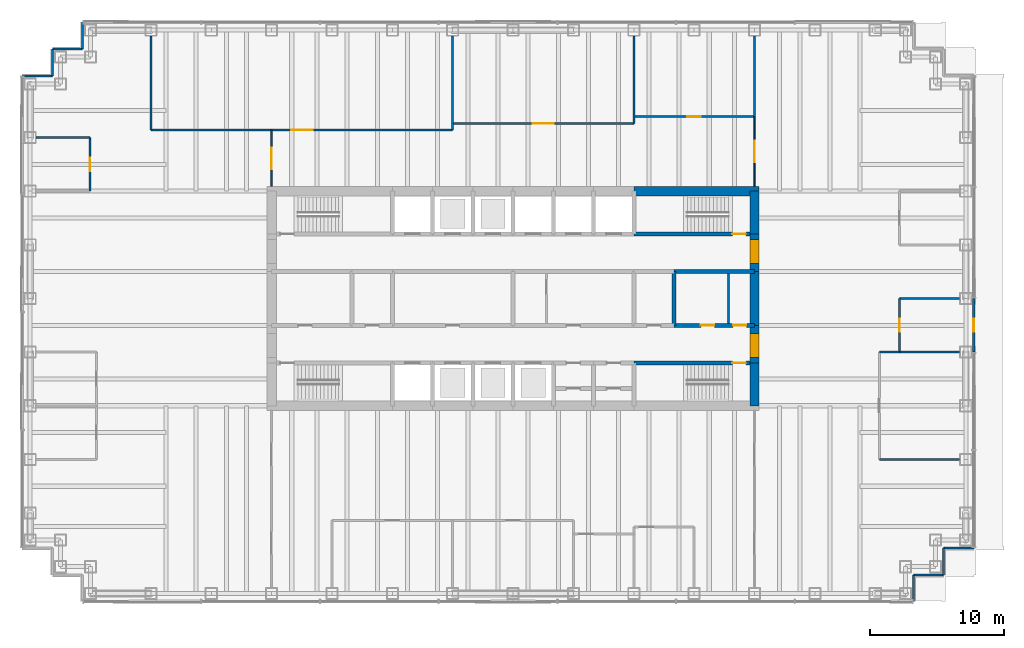
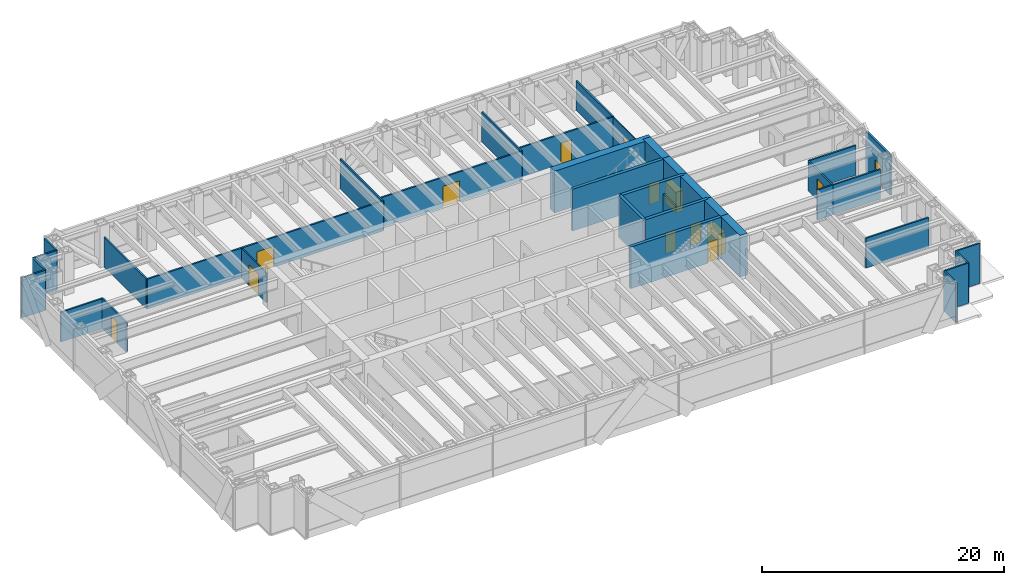
# One storey, part 9 of 12: 37 walls, 14 doors, 14 openings.
"""IFC4 building model written with IfcOpenShell, lengths in metres."""

from ifc_helpers import new_model, si_unit, direction, frame, frame_2d, origin, place, context, subcontext, project, spatial, rectangle, extrude, material, layer, layer_set, type_object, element, fill, save


model = new_model("IFC4")

# Units and contexts
model_context = context("Model", 3, precision=1e-05, world=origin(), true_north=direction((0.0, 1.0)))
body_context = subcontext(model_context, "Body", "Model", "MODEL_VIEW")
ifc_project = project(units=[si_unit("LENGTHUNIT", "METRE"), si_unit("AREAUNIT", "SQUARE_METRE"), si_unit("VOLUMEUNIT", "CUBIC_METRE"), si_unit("PLANEANGLEUNIT", "RADIAN"), si_unit("MASSUNIT", "GRAM", prefix="KILO")], contexts=[model_context])

# Site, building, storey
site_placement = place(None, origin())
site = spatial("IfcSite", under=ifc_project, at=site_placement, CompositionType="ELEMENT")
building_placement = place(site_placement, origin())
building = spatial("IfcBuilding", under=site, at=building_placement, Name="Rheinbord Bourse Tower", CompositionType="ELEMENT")
storey_placement = place(building_placement, frame((0.0, 0.0, 271.10009765625)))
storey = spatial("IfcBuildingStorey", under=building, at=storey_placement, Name="L61", CompositionType="ELEMENT", Elevation=271.10009765625)

# Wall, opening, door
ifc_material_1 = material(Name="Concrete C50/60", Category="concrete")
ifc_layer_1 = layer(ifc_material_1, 0.300048828125)
ifc_layer_set_1 = layer_set([ifc_layer_1], Name="CORE INNER WALL 300")
wall_type_1 = type_object("IfcWallType", Name="CORE INNER WALL 300", PredefinedType="SOLIDWALL", material=ifc_layer_set_1)
wall_1_placement = place(storey_placement, frame((45.0, 19.199951171875, 0.0), z_axis=(0.0, 0.0, 1.0), x_axis=(1.0, 0.0, 0.0)))
wall_1 = element("IfcWall", 1, at=wall_1_placement, inside=storey, type_object=wall_type_1, Name="Core wall A8 L61", PredefinedType="SOLIDWALL", context=body_context, shape_type="SweptSolid", body=[
    extrude(rectangle(XDim=9.0, YDim=0.300048828125, at=frame_2d((4.5, 0.0))), origin(), (0.0, 0.0, 1.0), 4.199951171875),
])
opening_1_placement = place(wall_1_placement, frame((7.35009765625, 0.0, 0.0)))
opening_1 = element("IfcOpeningElement", 2, at=opening_1_placement, cuts=wall_1, Name="Opening 6130", PredefinedType="OPENING", context=body_context, shape_type="SweptSolid", body=[
    extrude(rectangle(XDim=1.0, YDim=2.10009765625, at=frame_2d((0.5, 1.050048828125))), frame((0.0, 0.159912109375, 0.0), z_axis=(0.0, -1.0, 0.0), x_axis=(1.0, 0.0, 0.0)), (0.0, 0.0, 1.0), 0.320068359375),
])
ifc_material_2 = material(Name="Steel door", Category="steel")
door_type_1 = type_object("IfcDoorType", Name="DOOR 1000 EI30", OperationType="SINGLE_SWING_LEFT", PredefinedType="DOOR", material=ifc_material_2)
door_1_placement = place(opening_1_placement, origin())
door_1 = element("IfcDoor", 3, at=door_1_placement, inside=storey, type_object=door_type_1, Name="Stair door ST3 L61", OperationType="SINGLE_SWING_RIGHT", OverallHeight=2.10009765625, OverallWidth=1.0, PredefinedType="DOOR", context=body_context, shape_type="SweptSolid", body=[
    extrude(rectangle(XDim=1.0, YDim=2.10009765625, at=frame_2d((0.5, 1.050048828125))), frame((0.0, 0.02490234375, 0.0), z_axis=(0.0, -1.0, 0.0), x_axis=(1.0, 0.0, 0.0)), (0.0, 0.0, 1.0), 0.050048828125),
])
fill(opening_1, door_1)

wall_2_placement = place(storey_placement, frame((45.0, 28.800048828125, 0.0), z_axis=(0.0, 0.0, 1.0), x_axis=(1.0, 0.0, 0.0)))
wall_2 = element("IfcWall", 4, at=wall_2_placement, inside=storey, type_object=wall_type_1, Name="Core wall B8 L61", PredefinedType="SOLIDWALL", context=body_context, shape_type="SweptSolid", body=[
    extrude(rectangle(XDim=9.0, YDim=0.300048828125, at=frame_2d((4.5, 0.0))), origin(), (0.0, 0.0, 1.0), 4.199951171875),
])
opening_2_placement = place(wall_2_placement, frame((7.35009765625, 0.0, 0.0)))
opening_2 = element("IfcOpeningElement", 5, at=opening_2_placement, cuts=wall_2, Name="Opening 6140", PredefinedType="OPENING", context=body_context, shape_type="SweptSolid", body=[
    extrude(rectangle(XDim=1.0, YDim=2.10009765625, at=frame_2d((0.5, 1.050048828125))), frame((0.0, 0.159912109375, 0.0), z_axis=(0.0, -1.0, 0.0), x_axis=(1.0, 0.0, 0.0)), (0.0, 0.0, 1.0), 0.320068359375),
])
door_2_placement = place(opening_2_placement, origin())
door_2 = element("IfcDoor", 6, at=door_2_placement, inside=storey, type_object=door_type_1, Name="Stair door ST4 L61", OperationType="SINGLE_SWING_RIGHT", OverallHeight=2.10009765625, OverallWidth=1.0, PredefinedType="DOOR", context=body_context, shape_type="SweptSolid", body=[
    extrude(rectangle(XDim=1.0, YDim=2.10009765625, at=frame_2d((0.5, 1.050048828125))), frame((0.0, 0.02490234375, 0.0), z_axis=(0.0, -1.0, 0.0), x_axis=(1.0, 0.0, 0.0)), (0.0, 0.0, 1.0), 0.050048828125),
])
fill(opening_2, door_2)

# Wall, openings, doors
wall_3_placement = place(storey_placement, frame((48.0, 22.0, 0.0), z_axis=(0.0, 0.0, 1.0), x_axis=(1.0, 0.0, 0.0)))
wall_3 = element("IfcWall", 7, at=wall_3_placement, inside=storey, type_object=wall_type_1, Name="Core wall C6 L61", PredefinedType="SOLIDWALL", context=body_context, shape_type="SweptSolid", body=[
    extrude(rectangle(XDim=6.0, YDim=0.300048828125, at=frame_2d((3.0, 0.0))), origin(), (0.0, 0.0, 1.0), 4.199951171875),
])
opening_3_placement = place(wall_3_placement, frame((2.0, 0.0, 0.0)))
opening_3 = element("IfcOpeningElement", 8, at=opening_3_placement, cuts=wall_3, Name="Opening 61R6", PredefinedType="OPENING", context=body_context, shape_type="SweptSolid", body=[
    extrude(rectangle(XDim=1.0, YDim=2.10009765625, at=frame_2d((0.5, 1.050048828125))), frame((0.0, 0.159912109375, 0.0), z_axis=(0.0, -1.0, 0.0), x_axis=(1.0, 0.0, 0.0)), (0.0, 0.0, 1.0), 0.320068359375),
])
opening_4_placement = place(wall_3_placement, frame((4.39990234375, 0.0, 0.0)))
opening_4 = element("IfcOpeningElement", 9, at=opening_4_placement, cuts=wall_3, Name="Opening 61R10", PredefinedType="OPENING", context=body_context, shape_type="SweptSolid", body=[
    extrude(rectangle(XDim=1.0, YDim=2.10009765625, at=frame_2d((0.5, 1.050048828125))), frame((0.0, 0.159912109375, 0.0), z_axis=(0.0, -1.0, 0.0), x_axis=(1.0, 0.0, 0.0)), (0.0, 0.0, 1.0), 0.320068359375),
])
door_3_placement = place(opening_4_placement, origin())
door_3 = element("IfcDoor", 10, at=door_3_placement, inside=storey, type_object=door_type_1, Name="Cleaner's store door L61", OperationType="SINGLE_SWING_RIGHT", OverallHeight=2.10009765625, OverallWidth=1.0, PredefinedType="DOOR", context=body_context, shape_type="SweptSolid", body=[
    extrude(rectangle(XDim=1.0, YDim=2.10009765625, at=frame_2d((0.5, 1.050048828125))), frame((0.0, 0.02490234375, 0.0), z_axis=(0.0, -1.0, 0.0), x_axis=(1.0, 0.0, 0.0)), (0.0, 0.0, 1.0), 0.050048828125),
])
fill(opening_4, door_3)
ifc_material_3 = material(Name="Timber door", Category="wood")
door_type_2 = type_object("IfcDoorType", Name="DOOR 1000 WC", OperationType="SINGLE_SWING_LEFT", PredefinedType="DOOR", material=ifc_material_3)
door_4_placement = place(opening_3_placement, origin())
door_4 = element("IfcDoor", 11, at=door_4_placement, inside=storey, type_object=door_type_2, Name="WC women door L61", OperationType="SINGLE_SWING_LEFT", OverallHeight=2.10009765625, OverallWidth=1.0, PredefinedType="DOOR", context=body_context, shape_type="SweptSolid", body=[
    extrude(rectangle(XDim=1.0, YDim=2.10009765625, at=frame_2d((0.5, 1.050048828125))), frame((0.0, 0.02490234375, 0.0), z_axis=(0.0, -1.0, 0.0), x_axis=(1.0, 0.0, 0.0)), (0.0, 0.0, 1.0), 0.050048828125),
])
fill(opening_3, door_4)

# Walls
wall_4_placement = place(storey_placement, frame((48.0, 26.0, 0.0), z_axis=(0.0, 0.0, 1.0), x_axis=(1.0, 0.0, 0.0)))
element("IfcWall", 12, at=wall_4_placement, inside=storey, type_object=wall_type_1, Name="Core wall D6 L61", PredefinedType="SOLIDWALL", context=body_context, shape_type="SweptSolid", body=[
    extrude(rectangle(XDim=6.0, YDim=0.300048828125, at=frame_2d((3.0, 0.0))), origin(), (0.0, 0.0, 1.0), 4.199951171875),
])
wall_5_placement = place(storey_placement, frame((48.0, 22.0, 0.0), z_axis=(0.0, 0.0, 1.0), x_axis=(0.0, 1.0, 0.0)))
element("IfcWall", 13, at=wall_5_placement, inside=storey, type_object=wall_type_1, Name="Core wall MX48 L61", PredefinedType="SOLIDWALL", context=body_context, shape_type="SweptSolid", body=[
    extrude(rectangle(XDim=4.0, YDim=0.300048828125, at=frame_2d((2.0, 0.0))), origin(), (0.0, 0.0, 1.0), 4.199951171875),
])
ifc_material_4 = material(Name="Gypsum board fire partition", Category="gypsum board")
ifc_layer_2 = layer(ifc_material_4, 0.14990234375)
ifc_layer_set_2 = layer_set([ifc_layer_2], Name="CORE PARTITION 150 EI30")
wall_type_2 = type_object("IfcWallType", Name="CORE PARTITION 150 EI30", PredefinedType="PARTITIONING", material=ifc_layer_set_2)
wall_6_placement = place(storey_placement, frame((52.074951171875, 22.14990234375, 0.0), z_axis=(0.0, 0.0, 1.0), x_axis=(0.0, 1.0, 0.0)))
element("IfcWall", 14, at=wall_6_placement, inside=storey, type_object=wall_type_2, Name="Core partition L61-3", PredefinedType="PARTITIONING", context=body_context, shape_type="SweptSolid", body=[
    extrude(rectangle(XDim=3.7001953125, YDim=0.14990234375, at=frame_2d((1.85009765625, 0.0))), origin(), (0.0, 0.0, 1.0), 3.0),
])
ifc_material_5 = material(Name="Concrete C50/60", Category="concrete")
ifc_layer_3 = layer(ifc_material_5, 0.699951171875)
ifc_layer_set_3 = layer_set([ifc_layer_3], Name="CORE WALL 700")
wall_type_3 = type_object("IfcWallType", Name="CORE WALL 700", PredefinedType="SHEAR", material=ifc_layer_set_3)
wall_7_placement = place(storey_placement, frame((54.35009765625, 32.0, 0.0), z_axis=(0.0, 0.0, 1.0), x_axis=(-1.0, 0.0, 0.0)))
element("IfcWall", 15, at=wall_7_placement, inside=storey, type_object=wall_type_3, Name="Core wall N1 L61", PredefinedType="SHEAR", context=body_context, shape_type="SweptSolid", body=[
    extrude(rectangle(XDim=9.35009765625, YDim=0.699951171875, at=frame_2d((4.675048828125, 0.0))), origin(), (0.0, 0.0, 1.0), 4.199951171875),
])
wall_8_placement = place(storey_placement, frame((54.0, 16.0, 0.0), z_axis=(0.0, 0.0, 1.0), x_axis=(0.0, 1.0, 0.0)))
element("IfcWall", 16, at=wall_8_placement, inside=storey, type_object=wall_type_3, Name="Core wall E1 L61", PredefinedType="SHEAR", context=body_context, shape_type="SweptSolid", body=[
    extrude(rectangle(XDim=3.199951171875, YDim=0.699951171875, at=frame_2d((1.60009765625, 0.0))), origin(), (0.0, 0.0, 1.0), 4.199951171875),
])

# Wall, opening, door
wall_9_placement = place(storey_placement, frame((54.0, 19.199951171875, 0.0), z_axis=(0.0, 0.0, 1.0), x_axis=(0.0, 1.0, 0.0)))
wall_9 = element("IfcWall", 17, at=wall_9_placement, inside=storey, type_object=wall_type_3, Name="Core wall E2 L61", PredefinedType="SHEAR", context=body_context, shape_type="SweptSolid", body=[
    extrude(rectangle(XDim=2.800048828125, YDim=0.699951171875, at=frame_2d((1.39990234375, 0.0))), origin(), (0.0, 0.0, 1.0), 4.199951171875),
])
opening_5_placement = place(wall_9_placement, frame((0.39990234375, 0.0, 0.0)))
opening_5 = element("IfcOpeningElement", 18, at=opening_5_placement, cuts=wall_9, Name="Opening 61L3", PredefinedType="OPENING", context=body_context, shape_type="SweptSolid", body=[
    extrude(rectangle(XDim=1.800048828125, YDim=2.10009765625, at=frame_2d((0.89990234375, 1.050048828125))), frame((0.0, 0.35986328125, 0.0), z_axis=(0.0, -1.0, 0.0), x_axis=(1.0, 0.0, 0.0)), (0.0, 0.0, 1.0), 0.719970703125),
])
ifc_material_6 = material(Name="Steel door", Category="steel")
door_type_3 = type_object("IfcDoorType", Name="DOOR 1800 EI30 DOUBLE", OperationType="DOUBLE_DOOR_DOUBLE_SWING", PredefinedType="DOOR", material=ifc_material_6)
door_5_placement = place(opening_5_placement, origin())
door_5 = element("IfcDoor", 19, at=door_5_placement, inside=storey, type_object=door_type_3, Name="Lobby door 3 L61", OperationType="SINGLE_SWING_LEFT", OverallHeight=2.10009765625, OverallWidth=1.800048828125, PredefinedType="DOOR", context=body_context, shape_type="SweptSolid", body=[
    extrude(rectangle(XDim=1.800048828125, YDim=2.10009765625, at=frame_2d((0.89990234375, 1.050048828125))), frame((0.0, 0.349609375, 0.0), z_axis=(0.0, -1.0, 0.0), x_axis=(1.0, 0.0, 0.0)), (0.0, 0.0, 1.0), 0.699462890625),
])
fill(opening_5, door_5)

# Wall
wall_10_placement = place(storey_placement, frame((54.0, 22.0, 0.0), z_axis=(0.0, 0.0, 1.0), x_axis=(0.0, 1.0, 0.0)))
element("IfcWall", 20, at=wall_10_placement, inside=storey, type_object=wall_type_3, Name="Core wall E3 L61", PredefinedType="SHEAR", context=body_context, shape_type="SweptSolid", body=[
    extrude(rectangle(XDim=4.0, YDim=0.699951171875, at=frame_2d((2.0, 0.0))), origin(), (0.0, 0.0, 1.0), 4.199951171875),
])

# Wall, opening, door
wall_11_placement = place(storey_placement, frame((54.0, 26.0, 0.0), z_axis=(0.0, 0.0, 1.0), x_axis=(0.0, 1.0, 0.0)))
wall_11 = element("IfcWall", 21, at=wall_11_placement, inside=storey, type_object=wall_type_3, Name="Core wall E4 L61", PredefinedType="SHEAR", context=body_context, shape_type="SweptSolid", body=[
    extrude(rectangle(XDim=2.800048828125, YDim=0.699951171875, at=frame_2d((1.39990234375, 0.0))), origin(), (0.0, 0.0, 1.0), 4.199951171875),
])
opening_6_placement = place(wall_11_placement, frame((0.60009765625, 0.0, 0.0)))
opening_6 = element("IfcOpeningElement", 22, at=opening_6_placement, cuts=wall_11, Name="Opening 61L4", PredefinedType="OPENING", context=body_context, shape_type="SweptSolid", body=[
    extrude(rectangle(XDim=1.800048828125, YDim=2.10009765625, at=frame_2d((0.89990234375, 1.050048828125))), frame((0.0, 0.35986328125, 0.0), z_axis=(0.0, -1.0, 0.0), x_axis=(1.0, 0.0, 0.0)), (0.0, 0.0, 1.0), 0.719970703125),
])
door_6_placement = place(opening_6_placement, origin())
door_6 = element("IfcDoor", 23, at=door_6_placement, inside=storey, type_object=door_type_3, Name="Lobby door 4 L61", OperationType="SINGLE_SWING_LEFT", OverallHeight=2.10009765625, OverallWidth=1.800048828125, PredefinedType="DOOR", context=body_context, shape_type="SweptSolid", body=[
    extrude(rectangle(XDim=1.800048828125, YDim=2.10009765625, at=frame_2d((0.89990234375, 1.050048828125))), frame((0.0, 0.349609375, 0.0), z_axis=(0.0, -1.0, 0.0), x_axis=(1.0, 0.0, 0.0)), (0.0, 0.0, 1.0), 0.699462890625),
])
fill(opening_6, door_6)

# Walls
wall_12_placement = place(storey_placement, frame((54.0, 28.800048828125, 0.0), z_axis=(0.0, 0.0, 1.0), x_axis=(0.0, 1.0, 0.0)))
element("IfcWall", 24, at=wall_12_placement, inside=storey, type_object=wall_type_3, Name="Core wall E5 L61", PredefinedType="SHEAR", context=body_context, shape_type="SweptSolid", body=[
    extrude(rectangle(XDim=3.199951171875, YDim=0.699951171875, at=frame_2d((1.60009765625, 0.0))), origin(), (0.0, 0.0, 1.0), 4.199951171875),
])
ifc_material_7 = material(Name="Black metal rainscreen panel", Category="aluminium")
ifc_layer_4 = layer(ifc_material_7, 0.14990234375)
ifc_layer_set_4 = layer_set([ifc_layer_4], Name="CORNER PIER CLADDING 150")
wall_type_4 = type_object("IfcWallType", Name="CORNER PIER CLADDING 150", PredefinedType="ELEMENTEDWALL", material=ifc_layer_set_4)
wall_13_placement = place(storey_placement, frame((65.85009765625, 1.39990234375, 0.0), z_axis=(0.0, 0.0, 1.0), x_axis=(0.0, 1.0, 0.0)))
element("IfcWall", 25, at=wall_13_placement, inside=storey, type_object=wall_type_4, Name="Corner pier cladding L61 2", PredefinedType="ELEMENTEDWALL", context=body_context, shape_type="SweptSolid", body=[
    extrude(rectangle(XDim=2.0, YDim=0.14990234375, at=frame_2d((1.0, 0.0))), origin(), (0.0, 0.0, 1.0), 4.039794921875),
])
wall_14_placement = place(storey_placement, frame((65.85009765625, 3.39990234375, 0.0), z_axis=(0.0, 0.0, 1.0), x_axis=(1.0, 0.0, 0.0)))
element("IfcWall", 26, at=wall_14_placement, inside=storey, type_object=wall_type_4, Name="Corner pier cladding L61 3", PredefinedType="ELEMENTEDWALL", context=body_context, shape_type="SweptSolid", body=[
    extrude(rectangle(XDim=2.25, YDim=0.14990234375, at=frame_2d((1.125, 0.0))), origin(), (0.0, 0.0, 1.0), 4.039794921875),
])
wall_15_placement = place(storey_placement, frame((68.10009765625, 3.39990234375, 0.0), z_axis=(0.0, 0.0, 1.0), x_axis=(0.0, 1.0, 0.0)))
element("IfcWall", 27, at=wall_15_placement, inside=storey, type_object=wall_type_4, Name="Corner pier cladding L61 4", PredefinedType="ELEMENTEDWALL", context=body_context, shape_type="SweptSolid", body=[
    extrude(rectangle(XDim=2.0, YDim=0.14990234375, at=frame_2d((1.0, 0.0))), origin(), (0.0, 0.0, 1.0), 4.039794921875),
])
wall_16_placement = place(storey_placement, frame((68.10009765625, 5.39990234375, 0.0), z_axis=(0.0, 0.0, 1.0), x_axis=(1.0, 0.0, 0.0)))
element("IfcWall", 28, at=wall_16_placement, inside=storey, type_object=wall_type_4, Name="Corner pier cladding L61 5", PredefinedType="ELEMENTEDWALL", context=body_context, shape_type="SweptSolid", body=[
    extrude(rectangle(XDim=2.25, YDim=0.14990234375, at=frame_2d((1.125, 0.0))), origin(), (0.0, 0.0, 1.0), 4.039794921875),
])
wall_17_placement = place(storey_placement, frame((3.89990234375, 44.60009765625, 0.0), z_axis=(0.0, 0.0, 1.0), x_axis=(0.0, -1.0, 0.0)))
element("IfcWall", 29, at=wall_17_placement, inside=storey, type_object=wall_type_4, Name="Corner pier cladding L61 14", PredefinedType="ELEMENTEDWALL", context=body_context, shape_type="SweptSolid", body=[
    extrude(rectangle(XDim=2.0, YDim=0.14990234375, at=frame_2d((1.0, 0.0))), origin(), (0.0, 0.0, 1.0), 4.039794921875),
])
wall_18_placement = place(storey_placement, frame((3.89990234375, 42.60009765625, 0.0), z_axis=(0.0, 0.0, 1.0), x_axis=(-1.0, 0.0, 0.0)))
element("IfcWall", 30, at=wall_18_placement, inside=storey, type_object=wall_type_4, Name="Corner pier cladding L61 15", PredefinedType="ELEMENTEDWALL", context=body_context, shape_type="SweptSolid", body=[
    extrude(rectangle(XDim=2.25, YDim=0.14990234375, at=frame_2d((1.125, 0.0))), origin(), (0.0, 0.0, 1.0), 4.039794921875),
])
wall_19_placement = place(storey_placement, frame((1.64990234375, 42.60009765625, 0.0), z_axis=(0.0, 0.0, 1.0), x_axis=(0.0, -1.0, 0.0)))
element("IfcWall", 31, at=wall_19_placement, inside=storey, type_object=wall_type_4, Name="Corner pier cladding L61 16", PredefinedType="ELEMENTEDWALL", context=body_context, shape_type="SweptSolid", body=[
    extrude(rectangle(XDim=2.0, YDim=0.14990234375, at=frame_2d((1.0, 0.0))), origin(), (0.0, 0.0, 1.0), 4.039794921875),
])
wall_20_placement = place(storey_placement, frame((1.64990234375, 40.60009765625, 0.0), z_axis=(0.0, 0.0, 1.0), x_axis=(-1.0, 0.0, 0.0)))
element("IfcWall", 32, at=wall_20_placement, inside=storey, type_object=wall_type_4, Name="Corner pier cladding L61 17", PredefinedType="ELEMENTEDWALL", context=body_context, shape_type="SweptSolid", body=[
    extrude(rectangle(XDim=2.25, YDim=0.14990234375, at=frame_2d((1.125, 0.0))), origin(), (0.0, 0.0, 1.0), 4.039794921875),
])
ifc_material_8 = material(Name="Gypsum board fire partition", Category="gypsum board")
ifc_layer_5 = layer(ifc_material_8, 0.14990234375)
ifc_layer_set_5 = layer_set([ifc_layer_5], Name="FIRE PARTITION 150 EI60")
wall_type_5 = type_object("IfcWallType", Name="FIRE PARTITION 150 EI60", PredefinedType="PARTITIONING", material=ifc_layer_set_5)
for number, where, z_axis, x_axis, name in (
    (33, (64.800048828125, 20.0, 0.0), (0.0, 0.0, 1.0), (1.0, 0.0, 0.0), "Partition L61-09"),
    (34, (64.800048828125, 24.0, 0.0), (0.0, 0.0, 1.0), (1.0, 0.0, 0.0), "Partition L61-10"),
):
    element("IfcWall", number, at=place(storey_placement, frame(where, z_axis=z_axis, x_axis=x_axis)), inside=storey, type_object=wall_type_5, Name=name, PredefinedType="PARTITIONING", context=body_context, shape_type="SweptSolid", body=[
        extrude(rectangle(XDim=4.5, YDim=0.14990234375, at=frame_2d((2.25, 0.0))), origin(), (0.0, 0.0, 1.0), 3.0),
    ])

# Wall, opening, door
wall_21_placement = place(storey_placement, frame((64.800048828125, 20.0, 0.0), z_axis=(0.0, 0.0, 1.0), x_axis=(0.0, 1.0, 0.0)))
wall_21 = element("IfcWall", 35, at=wall_21_placement, inside=storey, type_object=wall_type_5, Name="Partition L61-34", PredefinedType="PARTITIONING", context=body_context, shape_type="SweptSolid", body=[
    extrude(rectangle(XDim=4.0, YDim=0.14990234375, at=frame_2d((2.0, 0.0))), origin(), (0.0, 0.0, 1.0), 3.0),
])
opening_7_placement = place(wall_21_placement, frame((1.5, 0.0, 0.0)))
opening_7 = element("IfcOpeningElement", 36, at=opening_7_placement, cuts=wall_21, Name="Opening 61D08", PredefinedType="OPENING", context=body_context, shape_type="SweptSolid", body=[
    extrude(rectangle(XDim=1.0, YDim=2.10009765625, at=frame_2d((0.5, 1.050048828125))), frame((0.0, 0.0849609375, 0.0), z_axis=(0.0, -1.0, 0.0), x_axis=(1.0, 0.0, 0.0)), (0.0, 0.0, 1.0), 0.169921875),
])
ifc_material_9 = material(Name="Timber fire door", Category="wood")
door_type_4 = type_object("IfcDoorType", Name="FIRE DOOR 1000 EI60", OperationType="SINGLE_SWING_LEFT", PredefinedType="DOOR", material=ifc_material_9)
door_7_placement = place(opening_7_placement, origin())
door_7 = element("IfcDoor", 37, at=door_7_placement, inside=storey, type_object=door_type_4, Name="Roof access lobby door L61", OperationType="SINGLE_SWING_LEFT", OverallHeight=2.10009765625, OverallWidth=1.0, PredefinedType="DOOR", context=body_context, shape_type="SweptSolid", body=[
    extrude(rectangle(XDim=1.0, YDim=2.10009765625, at=frame_2d((0.5, 1.050048828125))), frame((0.0, 0.02490234375, 0.0), z_axis=(0.0, -1.0, 0.0), x_axis=(1.0, 0.0, 0.0)), (0.0, 0.0, 1.0), 0.050048828125),
])
fill(opening_7, door_7)

ifc_material_10 = material(Name="Toughened laminated glass partition", Category="glass")
ifc_layer_6 = layer(ifc_material_10, 0.10009765625)
ifc_layer_set_6 = layer_set([ifc_layer_6], Name="GLAZED PARTITION 100")
wall_type_6 = type_object("IfcWallType", Name="GLAZED PARTITION 100", PredefinedType="PARTITIONING", material=ifc_layer_set_6)
wall_22_placement = place(storey_placement, frame((18.0, 32.35009765625, 0.0), z_axis=(0.0, 0.0, 1.0), x_axis=(0.0, 1.0, 0.0)))
wall_22 = element("IfcWall", 38, at=wall_22_placement, inside=storey, type_object=wall_type_6, Name="Partition L61-22", PredefinedType="PARTITIONING", context=body_context, shape_type="SweptSolid", body=[
    extrude(rectangle(XDim=4.199951171875, YDim=0.10009765625, at=frame_2d((2.10009765625, 0.0))), origin(), (0.0, 0.0, 1.0), 3.0),
])
opening_8_placement = place(wall_22_placement, frame((1.300048828125, 0.0, 0.0)))
opening_8 = element("IfcOpeningElement", 39, at=opening_8_placement, cuts=wall_22, Name="Opening 61D16", PredefinedType="OPENING", context=body_context, shape_type="SweptSolid", body=[
    extrude(rectangle(XDim=1.60009765625, YDim=2.10009765625, at=frame_2d((0.800048828125, 1.050048828125))), frame((0.0, 0.06005859375, 0.0), z_axis=(0.0, -1.0, 0.0), x_axis=(1.0, 0.0, 0.0)), (0.0, 0.0, 1.0), 0.1201171875),
])
ifc_material_11 = material(Name="Timber door", Category="wood")
door_type_5 = type_object("IfcDoorType", Name="DOUBLE ROOM DOOR 1600", OperationType="DOUBLE_DOOR_DOUBLE_SWING", PredefinedType="DOOR", material=ifc_material_11)
door_8_placement = place(opening_8_placement, origin())
door_8 = element("IfcDoor", 40, at=door_8_placement, inside=storey, type_object=door_type_5, Name="Open area door L61", OperationType="SINGLE_SWING_LEFT", OverallHeight=2.10009765625, OverallWidth=1.60009765625, PredefinedType="DOOR", context=body_context, shape_type="SweptSolid", body=[
    extrude(rectangle(XDim=1.60009765625, YDim=2.10009765625, at=frame_2d((0.800048828125, 1.050048828125))), frame((0.0, 0.02490234375, 0.0), z_axis=(0.0, -1.0, 0.0), x_axis=(1.0, 0.0, 0.0)), (0.0, 0.0, 1.0), 0.050048828125),
])
fill(opening_8, door_8)

wall_23_placement = place(storey_placement, frame((54.0, 32.35009765625, 0.0), z_axis=(0.0, 0.0, 1.0), x_axis=(0.0, 1.0, 0.0)))
wall_23 = element("IfcWall", 41, at=wall_23_placement, inside=storey, type_object=wall_type_6, Name="Partition L61-31", PredefinedType="PARTITIONING", context=body_context, shape_type="SweptSolid", body=[
    extrude(rectangle(XDim=5.199951171875, YDim=0.10009765625, at=frame_2d((2.60009765625, 0.0))), origin(), (0.0, 0.0, 1.0), 3.0),
])
opening_9_placement = place(wall_23_placement, frame((1.800048828125, 0.0, 0.0)))
opening_9 = element("IfcOpeningElement", 42, at=opening_9_placement, cuts=wall_23, Name="Opening 61D19", PredefinedType="OPENING", context=body_context, shape_type="SweptSolid", body=[
    extrude(rectangle(XDim=1.60009765625, YDim=2.10009765625, at=frame_2d((0.800048828125, 1.050048828125))), frame((0.0, 0.06005859375, 0.0), z_axis=(0.0, -1.0, 0.0), x_axis=(1.0, 0.0, 0.0)), (0.0, 0.0, 1.0), 0.1201171875),
])
door_9_placement = place(opening_9_placement, origin())
door_9 = element("IfcDoor", 43, at=door_9_placement, inside=storey, type_object=door_type_5, Name="Open area door L61", OperationType="SINGLE_SWING_LEFT", OverallHeight=2.10009765625, OverallWidth=1.60009765625, PredefinedType="DOOR", context=body_context, shape_type="SweptSolid", body=[
    extrude(rectangle(XDim=1.60009765625, YDim=2.10009765625, at=frame_2d((0.800048828125, 1.050048828125))), frame((0.0, 0.02490234375, 0.0), z_axis=(0.0, -1.0, 0.0), x_axis=(1.0, 0.0, 0.0)), (0.0, 0.0, 1.0), 0.050048828125),
])
fill(opening_9, door_9)

# Walls
ifc_material_12 = material(Name="Gypsum board partition", Category="gypsum board")
ifc_layer_7 = layer(ifc_material_12, 0.14990234375)
ifc_layer_set_7 = layer_set([ifc_layer_7], Name="PARTITION 150")
wall_type_7 = type_object("IfcWallType", Name="PARTITION 150", PredefinedType="PARTITIONING", material=ifc_layer_set_7)
wall_24_placement = place(storey_placement, frame((63.300048828125, 12.0, 0.0), z_axis=(0.0, 0.0, 1.0), x_axis=(1.0, 0.0, 0.0)))
element("IfcWall", 44, at=wall_24_placement, inside=storey, type_object=wall_type_7, Name="Partition L61-05", PredefinedType="PARTITIONING", context=body_context, shape_type="SweptSolid", body=[
    extrude(rectangle(XDim=6.0, YDim=0.14990234375, at=frame_2d((3.0, 0.0))), origin(), (0.0, 0.0, 1.0), 3.0),
])
wall_25_placement = place(storey_placement, frame((63.300048828125, 20.0, 0.0), z_axis=(0.0, 0.0, 1.0), x_axis=(1.0, 0.0, 0.0)))
element("IfcWall", 45, at=wall_25_placement, inside=storey, type_object=wall_type_7, Name="Partition L61-08", PredefinedType="PARTITIONING", context=body_context, shape_type="SweptSolid", body=[
    extrude(rectangle(XDim=1.5, YDim=0.14990234375, at=frame_2d((0.75, 0.0))), origin(), (0.0, 0.0, 1.0), 3.0),
])
wall_26_placement = place(storey_placement, frame((0.449951171875, 36.0, 0.0), z_axis=(0.0, 0.0, 1.0), x_axis=(1.0, 0.0, 0.0)))
element("IfcWall", 46, at=wall_26_placement, inside=storey, type_object=wall_type_7, Name="Partition L61-14", PredefinedType="PARTITIONING", context=body_context, shape_type="SweptSolid", body=[
    extrude(rectangle(XDim=4.0, YDim=0.14990234375, at=frame_2d((2.0, 0.0))), origin(), (0.0, 0.0, 1.0), 3.0),
])

# Wall, opening, door
wall_27_placement = place(storey_placement, frame((9.0, 36.550048828125, 0.0), z_axis=(0.0, 0.0, 1.0), x_axis=(1.0, 0.0, 0.0)))
wall_27 = element("IfcWall", 47, at=wall_27_placement, inside=storey, type_object=wall_type_7, Name="Partition L61-15", PredefinedType="PARTITIONING", context=body_context, shape_type="SweptSolid", body=[
    extrude(rectangle(XDim=22.5, YDim=0.14990234375, at=frame_2d((11.25, 0.0))), origin(), (0.0, 0.0, 1.0), 3.0),
])
opening_10_placement = place(wall_27_placement, frame((10.449951171875, 0.0, 0.0)))
opening_10 = element("IfcOpeningElement", 48, at=opening_10_placement, cuts=wall_27, Name="Opening 61D11", PredefinedType="OPENING", context=body_context, shape_type="SweptSolid", body=[
    extrude(rectangle(XDim=1.60009765625, YDim=2.10009765625, at=frame_2d((0.800048828125, 1.050048828125))), frame((0.0, 0.0849609375, 0.0), z_axis=(0.0, -1.0, 0.0), x_axis=(1.0, 0.0, 0.0)), (0.0, 0.0, 1.0), 0.169921875),
])
door_10_placement = place(opening_10_placement, origin())
door_10 = element("IfcDoor", 49, at=door_10_placement, inside=storey, type_object=door_type_5, Name="Fitness studio door L61", OperationType="SINGLE_SWING_LEFT", OverallHeight=2.10009765625, OverallWidth=1.60009765625, PredefinedType="DOOR", context=body_context, shape_type="SweptSolid", body=[
    extrude(rectangle(XDim=1.60009765625, YDim=2.10009765625, at=frame_2d((0.800048828125, 1.050048828125))), frame((0.0, 0.02490234375, 0.0), z_axis=(0.0, -1.0, 0.0), x_axis=(1.0, 0.0, 0.0)), (0.0, 0.0, 1.0), 0.050048828125),
])
fill(opening_10, door_10)

wall_28_placement = place(storey_placement, frame((31.5, 37.050048828125, 0.0), z_axis=(0.0, 0.0, 1.0), x_axis=(1.0, 0.0, 0.0)))
wall_28 = element("IfcWall", 50, at=wall_28_placement, inside=storey, type_object=wall_type_7, Name="Partition L61-16", PredefinedType="PARTITIONING", context=body_context, shape_type="SweptSolid", body=[
    extrude(rectangle(XDim=13.5, YDim=0.14990234375, at=frame_2d((6.75, 0.0))), origin(), (0.0, 0.0, 1.0), 3.0),
])
opening_11_placement = place(wall_28_placement, frame((5.949951171875, 0.0, 0.0)))
opening_11 = element("IfcOpeningElement", 51, at=opening_11_placement, cuts=wall_28, Name="Opening 61D12", PredefinedType="OPENING", context=body_context, shape_type="SweptSolid", body=[
    extrude(rectangle(XDim=1.60009765625, YDim=2.10009765625, at=frame_2d((0.800048828125, 1.050048828125))), frame((0.0, 0.0849609375, 0.0), z_axis=(0.0, -1.0, 0.0), x_axis=(1.0, 0.0, 0.0)), (0.0, 0.0, 1.0), 0.169921875),
])
door_11_placement = place(opening_11_placement, origin())
door_11 = element("IfcDoor", 52, at=door_11_placement, inside=storey, type_object=door_type_5, Name="Exercise studio door L61", OperationType="SINGLE_SWING_LEFT", OverallHeight=2.10009765625, OverallWidth=1.60009765625, PredefinedType="DOOR", context=body_context, shape_type="SweptSolid", body=[
    extrude(rectangle(XDim=1.60009765625, YDim=2.10009765625, at=frame_2d((0.800048828125, 1.050048828125))), frame((0.0, 0.02490234375, 0.0), z_axis=(0.0, -1.0, 0.0), x_axis=(1.0, 0.0, 0.0)), (0.0, 0.0, 1.0), 0.050048828125),
])
fill(opening_11, door_11)

wall_29_placement = place(storey_placement, frame((45.0, 37.550048828125, 0.0), z_axis=(0.0, 0.0, 1.0), x_axis=(1.0, 0.0, 0.0)))
wall_29 = element("IfcWall", 53, at=wall_29_placement, inside=storey, type_object=wall_type_7, Name="Partition L61-17", PredefinedType="PARTITIONING", context=body_context, shape_type="SweptSolid", body=[
    extrude(rectangle(XDim=9.0, YDim=0.14990234375, at=frame_2d((4.5, 0.0))), origin(), (0.0, 0.0, 1.0), 3.0),
])
opening_12_placement = place(wall_29_placement, frame((4.0, 0.0, 0.0)))
opening_12 = element("IfcOpeningElement", 54, at=opening_12_placement, cuts=wall_29, Name="Opening 61D13", PredefinedType="OPENING", context=body_context, shape_type="SweptSolid", body=[
    extrude(rectangle(XDim=1.0, YDim=2.10009765625, at=frame_2d((0.5, 1.050048828125))), frame((0.0, 0.0849609375, 0.0), z_axis=(0.0, -1.0, 0.0), x_axis=(1.0, 0.0, 0.0)), (0.0, 0.0, 1.0), 0.169921875),
])
ifc_material_13 = material(Name="Timber door", Category="wood")
door_type_6 = type_object("IfcDoorType", Name="ROOM DOOR 1000", OperationType="SINGLE_SWING_LEFT", PredefinedType="DOOR", material=ifc_material_13)
door_12_placement = place(opening_12_placement, origin())
door_12 = element("IfcDoor", 55, at=door_12_placement, inside=storey, type_object=door_type_6, Name="Cycling studio door L61", OperationType="SINGLE_SWING_LEFT", OverallHeight=2.10009765625, OverallWidth=1.0, PredefinedType="DOOR", context=body_context, shape_type="SweptSolid", body=[
    extrude(rectangle(XDim=1.0, YDim=2.10009765625, at=frame_2d((0.5, 1.050048828125))), frame((0.0, 0.02490234375, 0.0), z_axis=(0.0, -1.0, 0.0), x_axis=(1.0, 0.0, 0.0)), (0.0, 0.0, 1.0), 0.050048828125),
])
fill(opening_12, door_12)

wall_30_placement = place(storey_placement, frame((4.449951171875, 32.0, 0.0), z_axis=(0.0, 0.0, 1.0), x_axis=(0.0, 1.0, 0.0)))
wall_30 = element("IfcWall", 56, at=wall_30_placement, inside=storey, type_object=wall_type_7, Name="Partition L61-18", PredefinedType="PARTITIONING", context=body_context, shape_type="SweptSolid", body=[
    extrude(rectangle(XDim=4.0, YDim=0.14990234375, at=frame_2d((2.0, 0.0))), origin(), (0.0, 0.0, 1.0), 3.0),
])
opening_13_placement = place(wall_30_placement, frame((1.5, 0.0, 0.0)))
opening_13 = element("IfcOpeningElement", 57, at=opening_13_placement, cuts=wall_30, Name="Opening 61D10", PredefinedType="OPENING", context=body_context, shape_type="SweptSolid", body=[
    extrude(rectangle(XDim=1.0, YDim=2.10009765625, at=frame_2d((0.5, 1.050048828125))), frame((0.0, 0.0849609375, 0.0), z_axis=(0.0, -1.0, 0.0), x_axis=(1.0, 0.0, 0.0)), (0.0, 0.0, 1.0), 0.169921875),
])
door_13_placement = place(opening_13_placement, origin())
door_13 = element("IfcDoor", 58, at=door_13_placement, inside=storey, type_object=door_type_6, Name="Store door L61", OperationType="SINGLE_SWING_LEFT", OverallHeight=2.10009765625, OverallWidth=1.0, PredefinedType="DOOR", context=body_context, shape_type="SweptSolid", body=[
    extrude(rectangle(XDim=1.0, YDim=2.10009765625, at=frame_2d((0.5, 1.050048828125))), frame((0.0, 0.02490234375, 0.0), z_axis=(0.0, -1.0, 0.0), x_axis=(1.0, 0.0, 0.0)), (0.0, 0.0, 1.0), 0.050048828125),
])
fill(opening_13, door_13)

# Walls
for number, where, z_axis, x_axis, name in (
    (59, (9.0, 36.550048828125, 0.0), (0.0, 0.0, 1.0), (0.0, 1.0, 0.0), "Partition L61-20"),
    (60, (31.5, 36.550048828125, 0.0), (0.0, 0.0, 1.0), (0.0, 1.0, 0.0), "Partition L61-25"),
):
    element("IfcWall", number, at=place(storey_placement, frame(where, z_axis=z_axis, x_axis=x_axis)), inside=storey, type_object=wall_type_7, Name=name, PredefinedType="PARTITIONING", context=body_context, shape_type="SweptSolid", body=[
        extrude(rectangle(XDim=7.0, YDim=0.14990234375, at=frame_2d((3.5, 0.0))), origin(), (0.0, 0.0, 1.0), 3.0),
    ])
wall_31_placement = place(storey_placement, frame((45.0, 37.050048828125, 0.0), z_axis=(0.0, 0.0, 1.0), x_axis=(0.0, 1.0, 0.0)))
element("IfcWall", 61, at=wall_31_placement, inside=storey, type_object=wall_type_7, Name="Partition L61-28", PredefinedType="PARTITIONING", context=body_context, shape_type="SweptSolid", body=[
    extrude(rectangle(XDim=6.5, YDim=0.14990234375, at=frame_2d((3.25, 0.0))), origin(), (0.0, 0.0, 1.0), 3.0),
])
wall_32_placement = place(storey_placement, frame((54.0, 37.550048828125, 0.0), z_axis=(0.0, 0.0, 1.0), x_axis=(0.0, 1.0, 0.0)))
element("IfcWall", 62, at=wall_32_placement, inside=storey, type_object=wall_type_7, Name="Partition L61-32", PredefinedType="PARTITIONING", context=body_context, shape_type="SweptSolid", body=[
    extrude(rectangle(XDim=6.0, YDim=0.14990234375, at=frame_2d((3.0, 0.0))), origin(), (0.0, 0.0, 1.0), 3.0),
])

# Wall, opening, door
ifc_material_14 = material(Name="Insulated black metal panel on a steel frame", Category="steel")
ifc_layer_8 = layer(ifc_material_14, 0.199951171875)
ifc_layer_set_8 = layer_set([ifc_layer_8], Name="ROOF ACCESS INFILL WALL 200")
wall_type_8 = type_object("IfcWallType", Name="ROOF ACCESS INFILL WALL 200", PredefinedType="SOLIDWALL", material=ifc_layer_set_8)
wall_33_placement = place(storey_placement, frame((70.35009765625, 20.0, 0.0), z_axis=(0.0, 0.0, 1.0), x_axis=(0.0, 1.0, 0.0)))
wall_33 = element("IfcWall", 63, at=wall_33_placement, inside=storey, type_object=wall_type_8, Name="Roof access infill wall E L61", PredefinedType="SOLIDWALL", context=body_context, shape_type="SweptSolid", body=[
    extrude(rectangle(XDim=4.0, YDim=0.199951171875, at=frame_2d((2.0, 0.0))), origin(), (0.0, 0.0, 1.0), 4.039794921875),
])
opening_14_placement = place(wall_33_placement, frame((1.5, 0.0, 0.0)))
opening_14 = element("IfcOpeningElement", 64, at=opening_14_placement, cuts=wall_33, Name="Opening 61RA1", PredefinedType="OPENING", context=body_context, shape_type="SweptSolid", body=[
    extrude(rectangle(XDim=1.0, YDim=2.10009765625, at=frame_2d((0.5, 1.050048828125))), frame((0.0, 0.10986328125, 0.0), z_axis=(0.0, -1.0, 0.0), x_axis=(1.0, 0.0, 0.0)), (0.0, 0.0, 1.0), 0.219970703125),
])
ifc_material_15 = material(Name="Insulated black steel door", Category="steel")
door_type_7 = type_object("IfcDoorType", Name="ROOF ACCESS DOOR 1000", OperationType="SINGLE_SWING_LEFT", PredefinedType="DOOR", material=ifc_material_15)
door_14_placement = place(opening_14_placement, origin())
door_14 = element("IfcDoor", 65, at=door_14_placement, inside=storey, type_object=door_type_7, Name="Roof access door E L61 (maintenance access only)", OperationType="SINGLE_SWING_LEFT", OverallHeight=2.10009765625, OverallWidth=1.0, PredefinedType="DOOR", context=body_context, shape_type="SweptSolid", body=[
    extrude(rectangle(XDim=1.0, YDim=2.10009765625, at=frame_2d((0.5, 1.050048828125))), frame((0.0, 0.02490234375, 0.0), z_axis=(0.0, -1.0, 0.0), x_axis=(1.0, 0.0, 0.0)), (0.0, 0.0, 1.0), 0.050048828125),
])
fill(opening_14, door_14)

save(model, "model.ifc")
